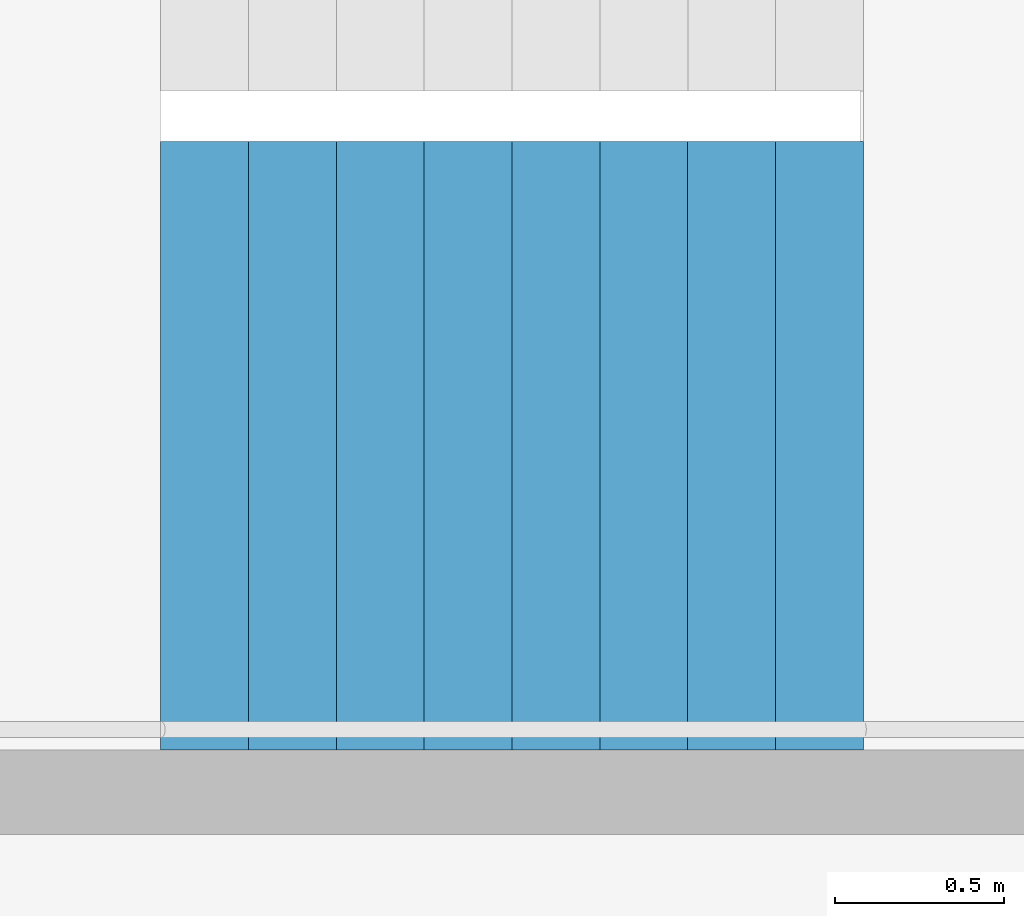
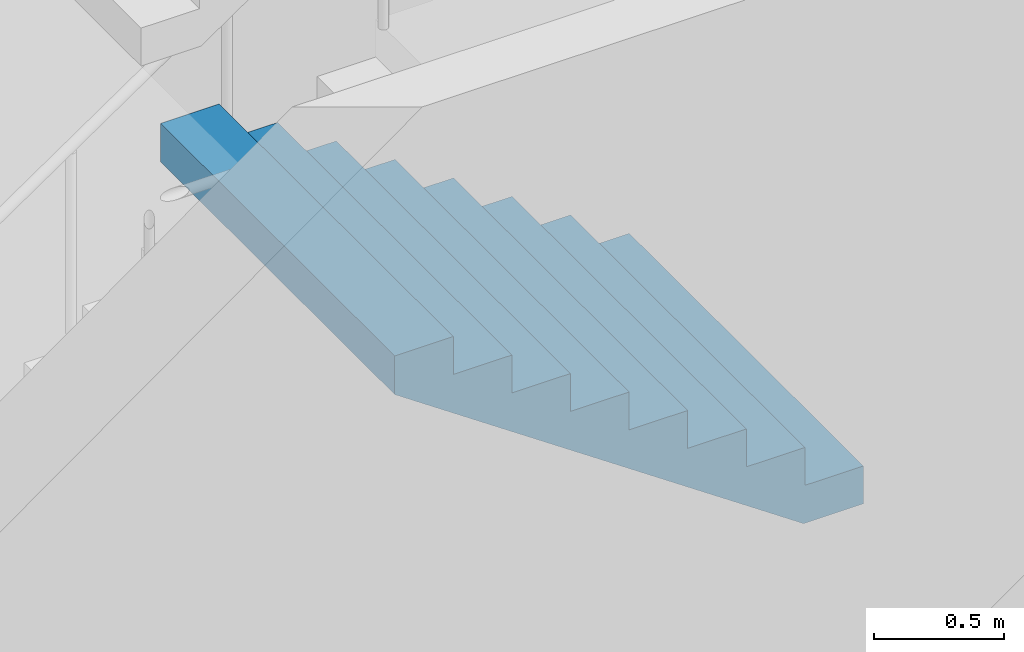
# One storey, part 29 of 42: 1 stair flight, 1 element without a shape of its own.
"""IFC4 building model written with IfcOpenShell, lengths in metres."""

from ifc_helpers import new_model, si_unit, direction, frame, origin, place, context, subcontext, project, spatial, triangles, material, type_object, element, aggregate, save


model = new_model("IFC4")

# Units and contexts
model_context = context("Model", 3, precision=1e-05, world=origin(), true_north=direction((0.0, 1.0)))
body_context = subcontext(model_context, "Body", "Model", "MODEL_VIEW")
ifc_project = project(units=[si_unit("LENGTHUNIT", "METRE"), si_unit("AREAUNIT", "SQUARE_METRE"), si_unit("VOLUMEUNIT", "CUBIC_METRE"), si_unit("PLANEANGLEUNIT", "RADIAN"), si_unit("MASSUNIT", "GRAM", prefix="KILO")], contexts=[model_context])

# Site, building, storey
site_placement = place(None, origin())
site = spatial("IfcSite", under=ifc_project, at=site_placement, CompositionType="ELEMENT")
building_placement = place(site_placement, origin())
building = spatial("IfcBuilding", under=site, at=building_placement, Name="Hakoniwa Tower and Hamabe Station Hall", CompositionType="ELEMENT")
storey_placement = place(building_placement, frame((0.0, 0.0, 232.60009765625)))
storey = spatial("IfcBuildingStorey", under=building, at=storey_placement, Name="L66", CompositionType="ELEMENT", Elevation=232.60009765625)

# Stair, stair flight
ifc_material_1 = material(Name="Concrete C40", Category="concrete")
stair_type = type_object("IfcStairType", Name="ESCAPE STAIR 1800", PredefinedType="HALF_TURN_STAIR", material=ifc_material_1)
stair_placement = place(storey_placement, origin())
stair = element("IfcStair", 1, at=stair_placement, inside=storey, type_object=stair_type, Name="Escape stair ST-3 L66", PredefinedType="HALF_TURN_STAIR")
ifc_material_2 = material(Name="Concrete C40", Category="concrete")
stair_flight_type = type_object("IfcStairFlightType", Name="STAIR FLIGHT 1800", PredefinedType="STRAIGHT", material=ifc_material_2)
stair_flight_placement = place(storey_placement, frame((24.39990234375, 4.64990234375, 3.199951171875), z_axis=(0.0, 0.0, 1.0), x_axis=(-1.0, 0.0, 0.0)))
stair_flight = element("IfcStairFlight", 2, at=stair_flight_placement, type_object=stair_flight_type, Name="ST-3 flight 3", NumberOfRisers=9, NumberOfTreads=8, PredefinedType="STRAIGHT", RiserHeight=0.177777778, TreadLength=0.26, context=body_context, shape_type="Tessellation", body=[
    triangles([(0.0, 0.89990234375, 0.0), (0.260009765625, 0.89990234375, 0.0), (0.265625, 0.89990234375, 0.0), (0.52001953125, 0.89990234375, 0.174072265625), (0.780029296875, 0.89990234375, 0.351806640625), (1.0400390625, 0.89990234375, 0.529541015625), (1.300048828125, 0.89990234375, 0.707275390625), (1.56005859375, 0.89990234375, 0.885009765625), (1.820068359375, 0.89990234375, 1.062744140625), (2.080078125, 0.89990234375, 1.24072265625), (2.080078125, 0.89990234375, 1.422119140625), (1.820068359375, 0.89990234375, 1.422119140625), (1.820068359375, 0.89990234375, 1.244384765625), (1.56005859375, 0.89990234375, 1.244384765625), (1.56005859375, 0.89990234375, 1.066650390625), (1.300048828125, 0.89990234375, 1.066650390625), (1.300048828125, 0.89990234375, 0.888916015625), (1.0400390625, 0.89990234375, 0.888916015625), (1.0400390625, 0.89990234375, 0.711181640625), (0.780029296875, 0.89990234375, 0.711181640625), (0.780029296875, 0.89990234375, 0.533447265625), (0.52001953125, 0.89990234375, 0.533447265625), (0.52001953125, 0.89990234375, 0.35546875), (0.265625, 0.89990234375, 0.35546875), (0.260009765625, 0.89990234375, 0.35546875), (0.260009765625, 0.89990234375, 0.177734375), (0.0, 0.89990234375, 0.177734375), (0.0, 0.06005859375, 0.0), (0.260009765625, 0.06005859375, 0.0), (0.265625, 0.06005859375, 0.0), (0.52001953125, 0.06005859375, 0.174072265625), (0.780029296875, 0.06005859375, 0.351806640625), (1.0400390625, 0.06005859375, 0.529541015625), (1.300048828125, 0.06005859375, 0.707275390625), (1.56005859375, 0.06005859375, 0.885009765625), (1.820068359375, 0.06005859375, 1.062744140625), (2.080078125, 0.06005859375, 1.24072265625), (2.080078125, 0.06005859375, 1.422119140625), (1.820068359375, 0.06005859375, 1.422119140625), (1.820068359375, 0.06005859375, 1.244384765625), (1.56005859375, 0.06005859375, 1.244384765625), (1.56005859375, 0.06005859375, 1.066650390625), (1.300048828125, 0.06005859375, 1.066650390625), (1.300048828125, 0.06005859375, 0.888916015625), (1.0400390625, 0.06005859375, 0.888916015625), (1.0400390625, 0.06005859375, 0.711181640625), (0.780029296875, 0.06005859375, 0.711181640625), (0.780029296875, 0.06005859375, 0.533447265625), (0.52001953125, 0.06005859375, 0.533447265625), (0.52001953125, 0.06005859375, 0.35546875), (0.265625, 0.06005859375, 0.35546875), (0.260009765625, 0.06005859375, 0.35546875), (0.260009765625, 0.06005859375, 0.177734375), (0.0, 0.06005859375, 0.177734375), (0.0, 0.04296875, 0.0), (0.260009765625, 0.04296875, 0.0), (0.265625, 0.04296875, 0.0), (0.52001953125, 0.04296875, 0.174072265625), (0.780029296875, 0.04296875, 0.351806640625), (1.0400390625, 0.04296875, 0.529541015625), (1.300048828125, 0.04296875, 0.707275390625), (1.56005859375, 0.04296875, 0.885009765625), (1.820068359375, 0.04296875, 1.062744140625), (2.080078125, 0.04296875, 1.24072265625), (2.080078125, 0.04296875, 1.422119140625), (1.820068359375, 0.04296875, 1.422119140625), (1.820068359375, 0.04296875, 1.244384765625), (1.56005859375, 0.04296875, 1.244384765625), (1.56005859375, 0.04296875, 1.066650390625), (1.300048828125, 0.04296875, 1.066650390625), (1.300048828125, 0.04296875, 0.888916015625), (1.0400390625, 0.04296875, 0.888916015625), (1.0400390625, 0.04296875, 0.711181640625), (0.780029296875, 0.04296875, 0.711181640625), (0.780029296875, 0.04296875, 0.533447265625), (0.52001953125, 0.04296875, 0.533447265625), (0.52001953125, 0.04296875, 0.35546875), (0.265625, 0.04296875, 0.35546875), (0.260009765625, 0.04296875, 0.35546875), (0.260009765625, 0.04296875, 0.177734375), (0.0, 0.04296875, 0.177734375), (0.0, 0.025634765625, 0.0), (0.260009765625, 0.025634765625, 0.0), (0.265625, 0.025634765625, 0.0), (0.52001953125, 0.025634765625, 0.174072265625), (0.780029296875, 0.025634765625, 0.351806640625), (1.0400390625, 0.025634765625, 0.529541015625), (1.300048828125, 0.025634765625, 0.707275390625), (1.56005859375, 0.025634765625, 0.885009765625), (1.820068359375, 0.025634765625, 1.062744140625), (2.080078125, 0.025634765625, 1.24072265625), (2.080078125, 0.025634765625, 1.422119140625), (1.820068359375, 0.025634765625, 1.422119140625), (1.820068359375, 0.025634765625, 1.244384765625), (1.56005859375, 0.025634765625, 1.244384765625), (1.56005859375, 0.025634765625, 1.066650390625), (1.300048828125, 0.025634765625, 1.066650390625), (1.300048828125, 0.025634765625, 0.888916015625), (1.0400390625, 0.025634765625, 0.888916015625), (1.0400390625, 0.025634765625, 0.711181640625), (0.780029296875, 0.025634765625, 0.711181640625), (0.780029296875, 0.025634765625, 0.533447265625), (0.52001953125, 0.025634765625, 0.533447265625), (0.52001953125, 0.025634765625, 0.35546875), (0.265625, 0.025634765625, 0.35546875), (0.260009765625, 0.025634765625, 0.35546875), (0.260009765625, 0.025634765625, 0.177734375), (0.0, 0.025634765625, 0.177734375), (0.0, 0.008544921875, 0.0), (0.260009765625, 0.008544921875, 0.0), (0.265625, 0.008544921875, 0.0), (0.52001953125, 0.008544921875, 0.174072265625), (0.780029296875, 0.008544921875, 0.351806640625), (1.0400390625, 0.008544921875, 0.529541015625), (1.300048828125, 0.008544921875, 0.707275390625), (1.56005859375, 0.008544921875, 0.885009765625), (1.820068359375, 0.008544921875, 1.062744140625), (2.080078125, 0.008544921875, 1.24072265625), (2.080078125, 0.008544921875, 1.422119140625), (1.820068359375, 0.008544921875, 1.422119140625), (1.820068359375, 0.008544921875, 1.244384765625), (1.56005859375, 0.008544921875, 1.244384765625), (1.56005859375, 0.008544921875, 1.066650390625), (1.300048828125, 0.008544921875, 1.066650390625), (1.300048828125, 0.008544921875, 0.888916015625), (1.0400390625, 0.008544921875, 0.888916015625), (1.0400390625, 0.008544921875, 0.711181640625), (0.780029296875, 0.008544921875, 0.711181640625), (0.780029296875, 0.008544921875, 0.533447265625), (0.52001953125, 0.008544921875, 0.533447265625), (0.52001953125, 0.008544921875, 0.35546875), (0.265625, 0.008544921875, 0.35546875), (0.260009765625, 0.008544921875, 0.35546875), (0.260009765625, 0.008544921875, 0.177734375), (0.0, 0.008544921875, 0.177734375), (0.0, -0.008544921875, 0.0), (0.260009765625, -0.008544921875, 0.0), (0.265625, -0.008544921875, 0.0), (0.52001953125, -0.008544921875, 0.174072265625), (0.780029296875, -0.008544921875, 0.351806640625), (1.0400390625, -0.008544921875, 0.529541015625), (1.300048828125, -0.008544921875, 0.707275390625), (1.56005859375, -0.008544921875, 0.885009765625), (1.820068359375, -0.008544921875, 1.062744140625), (2.080078125, -0.008544921875, 1.24072265625), (2.080078125, -0.008544921875, 1.422119140625), (1.820068359375, -0.008544921875, 1.422119140625), (1.820068359375, -0.008544921875, 1.244384765625), (1.56005859375, -0.008544921875, 1.244384765625), (1.56005859375, -0.008544921875, 1.066650390625), (1.300048828125, -0.008544921875, 1.066650390625), (1.300048828125, -0.008544921875, 0.888916015625), (1.0400390625, -0.008544921875, 0.888916015625), (1.0400390625, -0.008544921875, 0.711181640625), (0.780029296875, -0.008544921875, 0.711181640625), (0.780029296875, -0.008544921875, 0.533447265625), (0.52001953125, -0.008544921875, 0.533447265625), (0.52001953125, -0.008544921875, 0.35546875), (0.265625, -0.008544921875, 0.35546875), (0.260009765625, -0.008544921875, 0.35546875), (0.260009765625, -0.008544921875, 0.177734375), (0.0, -0.008544921875, 0.177734375), (0.0, -0.025634765625, 0.0), (0.260009765625, -0.025634765625, 0.0), (0.265625, -0.025634765625, 0.0), (0.52001953125, -0.025634765625, 0.174072265625), (0.780029296875, -0.025634765625, 0.351806640625), (1.0400390625, -0.025634765625, 0.529541015625), (1.300048828125, -0.025634765625, 0.707275390625), (1.56005859375, -0.025634765625, 0.885009765625), (1.820068359375, -0.025634765625, 1.062744140625), (2.080078125, -0.025634765625, 1.24072265625), (2.080078125, -0.025634765625, 1.422119140625), (1.820068359375, -0.025634765625, 1.422119140625), (1.820068359375, -0.025634765625, 1.244384765625), (1.56005859375, -0.025634765625, 1.244384765625), (1.56005859375, -0.025634765625, 1.066650390625), (1.300048828125, -0.025634765625, 1.066650390625), (1.300048828125, -0.025634765625, 0.888916015625), (1.0400390625, -0.025634765625, 0.888916015625), (1.0400390625, -0.025634765625, 0.711181640625), (0.780029296875, -0.025634765625, 0.711181640625), (0.780029296875, -0.025634765625, 0.533447265625), (0.52001953125, -0.025634765625, 0.533447265625), (0.52001953125, -0.025634765625, 0.35546875), (0.265625, -0.025634765625, 0.35546875), (0.260009765625, -0.025634765625, 0.35546875), (0.260009765625, -0.025634765625, 0.177734375), (0.0, -0.025634765625, 0.177734375), (0.0, -0.04296875, 0.0), (0.260009765625, -0.04296875, 0.0), (0.265625, -0.04296875, 0.0), (0.52001953125, -0.04296875, 0.174072265625), (0.780029296875, -0.04296875, 0.351806640625), (1.0400390625, -0.04296875, 0.529541015625), (1.300048828125, -0.04296875, 0.707275390625), (1.56005859375, -0.04296875, 0.885009765625), (1.820068359375, -0.04296875, 1.062744140625), (2.080078125, -0.04296875, 1.24072265625), (2.080078125, -0.04296875, 1.422119140625), (1.820068359375, -0.04296875, 1.422119140625), (1.820068359375, -0.04296875, 1.244384765625), (1.56005859375, -0.04296875, 1.244384765625), (1.56005859375, -0.04296875, 1.066650390625), (1.300048828125, -0.04296875, 1.066650390625), (1.300048828125, -0.04296875, 0.888916015625), (1.0400390625, -0.04296875, 0.888916015625), (1.0400390625, -0.04296875, 0.711181640625), (0.780029296875, -0.04296875, 0.711181640625), (0.780029296875, -0.04296875, 0.533447265625), (0.52001953125, -0.04296875, 0.533447265625), (0.52001953125, -0.04296875, 0.35546875), (0.265625, -0.04296875, 0.35546875), (0.260009765625, -0.04296875, 0.35546875), (0.260009765625, -0.04296875, 0.177734375), (0.0, -0.04296875, 0.177734375), (0.0, -0.06005859375, 0.0), (0.260009765625, -0.06005859375, 0.0), (0.265625, -0.06005859375, 0.0), (0.52001953125, -0.06005859375, 0.174072265625), (0.780029296875, -0.06005859375, 0.351806640625), (1.0400390625, -0.06005859375, 0.529541015625), (1.300048828125, -0.06005859375, 0.707275390625), (1.56005859375, -0.06005859375, 0.885009765625), (1.820068359375, -0.06005859375, 1.062744140625), (2.080078125, -0.06005859375, 1.24072265625), (2.080078125, -0.06005859375, 1.422119140625), (1.820068359375, -0.06005859375, 1.422119140625), (1.820068359375, -0.06005859375, 1.244384765625), (1.56005859375, -0.06005859375, 1.244384765625), (1.56005859375, -0.06005859375, 1.066650390625), (1.300048828125, -0.06005859375, 1.066650390625), (1.300048828125, -0.06005859375, 0.888916015625), (1.0400390625, -0.06005859375, 0.888916015625), (1.0400390625, -0.06005859375, 0.711181640625), (0.780029296875, -0.06005859375, 0.711181640625), (0.780029296875, -0.06005859375, 0.533447265625), (0.52001953125, -0.06005859375, 0.533447265625), (0.52001953125, -0.06005859375, 0.35546875), (0.265625, -0.06005859375, 0.35546875), (0.260009765625, -0.06005859375, 0.35546875), (0.260009765625, -0.06005859375, 0.177734375), (0.0, -0.06005859375, 0.177734375), (0.0, -0.89990234375, 0.0), (0.260009765625, -0.89990234375, 0.0), (0.265625, -0.89990234375, 0.0), (0.52001953125, -0.89990234375, 0.174072265625), (0.780029296875, -0.89990234375, 0.351806640625), (1.0400390625, -0.89990234375, 0.529541015625), (1.300048828125, -0.89990234375, 0.707275390625), (1.56005859375, -0.89990234375, 0.885009765625), (1.820068359375, -0.89990234375, 1.062744140625), (2.080078125, -0.89990234375, 1.24072265625), (2.080078125, -0.89990234375, 1.422119140625), (1.820068359375, -0.89990234375, 1.422119140625), (1.820068359375, -0.89990234375, 1.244384765625), (1.56005859375, -0.89990234375, 1.244384765625), (1.56005859375, -0.89990234375, 1.066650390625), (1.300048828125, -0.89990234375, 1.066650390625), (1.300048828125, -0.89990234375, 0.888916015625), (1.0400390625, -0.89990234375, 0.888916015625), (1.0400390625, -0.89990234375, 0.711181640625), (0.780029296875, -0.89990234375, 0.711181640625), (0.780029296875, -0.89990234375, 0.533447265625), (0.52001953125, -0.89990234375, 0.533447265625), (0.52001953125, -0.89990234375, 0.35546875), (0.265625, -0.89990234375, 0.35546875), (0.260009765625, -0.89990234375, 0.35546875), (0.260009765625, -0.89990234375, 0.177734375), (0.0, -0.89990234375, 0.177734375)], [[2, 27, 26], [245, 269, 270], [2, 1, 27], [245, 270, 244], [3, 25, 24], [246, 267, 268], [3, 26, 25], [246, 268, 269], [3, 2, 26], [246, 269, 245], [4, 24, 23], [247, 266, 267], [4, 3, 24], [247, 267, 246], [5, 22, 21], [248, 264, 265], [5, 23, 22], [248, 265, 266], [5, 4, 23], [248, 266, 247], [6, 20, 19], [249, 262, 263], [6, 21, 20], [249, 263, 264], [6, 5, 21], [249, 264, 248], [7, 18, 17], [250, 260, 261], [7, 19, 18], [250, 261, 262], [7, 6, 19], [250, 262, 249], [8, 16, 15], [251, 258, 259], [8, 17, 16], [251, 259, 260], [8, 7, 17], [251, 260, 250], [9, 14, 13], [252, 256, 257], [9, 15, 14], [252, 257, 258], [9, 8, 15], [252, 258, 251], [10, 12, 11], [253, 254, 255], [10, 13, 12], [253, 255, 256], [10, 9, 13], [253, 256, 252], [1, 2, 29], [1, 29, 28], [28, 29, 56], [28, 56, 55], [55, 56, 83], [55, 83, 82], [82, 83, 110], [82, 110, 109], [109, 110, 137], [109, 137, 136], [136, 137, 164], [136, 164, 163], [163, 164, 191], [163, 191, 190], [190, 191, 218], [190, 218, 217], [217, 218, 245], [217, 245, 244], [2, 3, 30], [2, 30, 29], [29, 30, 57], [29, 57, 56], [56, 57, 84], [56, 84, 83], [83, 84, 111], [83, 111, 110], [110, 111, 138], [110, 138, 137], [137, 138, 165], [137, 165, 164], [164, 165, 192], [164, 192, 191], [191, 192, 219], [191, 219, 218], [218, 219, 246], [218, 246, 245], [3, 4, 31], [3, 31, 30], [30, 31, 58], [30, 58, 57], [57, 58, 85], [57, 85, 84], [84, 85, 112], [84, 112, 111], [111, 112, 139], [111, 139, 138], [138, 139, 166], [138, 166, 165], [165, 166, 193], [165, 193, 192], [192, 193, 220], [192, 220, 219], [219, 220, 247], [219, 247, 246], [4, 5, 32], [4, 32, 31], [31, 32, 59], [31, 59, 58], [58, 59, 86], [58, 86, 85], [85, 86, 113], [85, 113, 112], [112, 113, 140], [112, 140, 139], [139, 140, 167], [139, 167, 166], [166, 167, 194], [166, 194, 193], [193, 194, 221], [193, 221, 220], [220, 221, 248], [220, 248, 247], [5, 6, 33], [5, 33, 32], [32, 33, 60], [32, 60, 59], [59, 60, 87], [59, 87, 86], [86, 87, 114], [86, 114, 113], [113, 114, 141], [113, 141, 140], [140, 141, 168], [140, 168, 167], [167, 168, 195], [167, 195, 194], [194, 195, 222], [194, 222, 221], [221, 222, 249], [221, 249, 248], [6, 7, 34], [6, 34, 33], [33, 34, 61], [33, 61, 60], [60, 61, 88], [60, 88, 87], [87, 88, 115], [87, 115, 114], [114, 115, 142], [114, 142, 141], [141, 142, 169], [141, 169, 168], [168, 169, 196], [168, 196, 195], [195, 196, 223], [195, 223, 222], [222, 223, 250], [222, 250, 249], [7, 8, 35], [7, 35, 34], [34, 35, 62], [34, 62, 61], [61, 62, 89], [61, 89, 88], [88, 89, 116], [88, 116, 115], [115, 116, 143], [115, 143, 142], [142, 143, 170], [142, 170, 169], [169, 170, 197], [169, 197, 196], [196, 197, 224], [196, 224, 223], [223, 224, 251], [223, 251, 250], [8, 9, 36], [8, 36, 35], [35, 36, 63], [35, 63, 62], [62, 63, 90], [62, 90, 89], [89, 90, 117], [89, 117, 116], [116, 117, 144], [116, 144, 143], [143, 144, 171], [143, 171, 170], [170, 171, 198], [170, 198, 197], [197, 198, 225], [197, 225, 224], [224, 225, 252], [224, 252, 251], [9, 10, 37], [9, 37, 36], [36, 37, 64], [36, 64, 63], [63, 64, 91], [63, 91, 90], [90, 91, 118], [90, 118, 117], [117, 118, 145], [117, 145, 144], [144, 145, 172], [144, 172, 171], [171, 172, 199], [171, 199, 198], [198, 199, 226], [198, 226, 225], [225, 226, 253], [225, 253, 252], [10, 11, 38], [10, 38, 37], [37, 38, 65], [37, 65, 64], [64, 65, 92], [64, 92, 91], [91, 92, 119], [91, 119, 118], [118, 119, 146], [118, 146, 145], [145, 146, 173], [145, 173, 172], [172, 173, 200], [172, 200, 199], [199, 200, 227], [199, 227, 226], [226, 227, 254], [226, 254, 253], [11, 12, 39], [11, 39, 38], [38, 39, 66], [38, 66, 65], [65, 66, 93], [65, 93, 92], [92, 93, 120], [92, 120, 119], [119, 120, 147], [119, 147, 146], [146, 147, 174], [146, 174, 173], [173, 174, 201], [173, 201, 200], [200, 201, 228], [200, 228, 227], [227, 228, 255], [227, 255, 254], [12, 13, 40], [12, 40, 39], [39, 40, 67], [39, 67, 66], [66, 67, 94], [66, 94, 93], [93, 94, 121], [93, 121, 120], [120, 121, 148], [120, 148, 147], [147, 148, 175], [147, 175, 174], [174, 175, 202], [174, 202, 201], [201, 202, 229], [201, 229, 228], [228, 229, 256], [228, 256, 255], [13, 14, 41], [13, 41, 40], [40, 41, 68], [40, 68, 67], [67, 68, 95], [67, 95, 94], [94, 95, 122], [94, 122, 121], [121, 122, 149], [121, 149, 148], [148, 149, 176], [148, 176, 175], [175, 176, 203], [175, 203, 202], [202, 203, 230], [202, 230, 229], [229, 230, 257], [229, 257, 256], [14, 15, 42], [14, 42, 41], [41, 42, 69], [41, 69, 68], [68, 69, 96], [68, 96, 95], [95, 96, 123], [95, 123, 122], [122, 123, 150], [122, 150, 149], [149, 150, 177], [149, 177, 176], [176, 177, 204], [176, 204, 203], [203, 204, 231], [203, 231, 230], [230, 231, 258], [230, 258, 257], [15, 16, 43], [15, 43, 42], [42, 43, 70], [42, 70, 69], [69, 70, 97], [69, 97, 96], [96, 97, 124], [96, 124, 123], [123, 124, 151], [123, 151, 150], [150, 151, 178], [150, 178, 177], [177, 178, 205], [177, 205, 204], [204, 205, 232], [204, 232, 231], [231, 232, 259], [231, 259, 258], [16, 17, 44], [16, 44, 43], [43, 44, 71], [43, 71, 70], [70, 71, 98], [70, 98, 97], [97, 98, 125], [97, 125, 124], [124, 125, 152], [124, 152, 151], [151, 152, 179], [151, 179, 178], [178, 179, 206], [178, 206, 205], [205, 206, 233], [205, 233, 232], [232, 233, 260], [232, 260, 259], [17, 18, 45], [17, 45, 44], [44, 45, 72], [44, 72, 71], [71, 72, 99], [71, 99, 98], [98, 99, 126], [98, 126, 125], [125, 126, 153], [125, 153, 152], [152, 153, 180], [152, 180, 179], [179, 180, 207], [179, 207, 206], [206, 207, 234], [206, 234, 233], [233, 234, 261], [233, 261, 260], [18, 19, 46], [18, 46, 45], [45, 46, 73], [45, 73, 72], [72, 73, 100], [72, 100, 99], [99, 100, 127], [99, 127, 126], [126, 127, 154], [126, 154, 153], [153, 154, 181], [153, 181, 180], [180, 181, 208], [180, 208, 207], [207, 208, 235], [207, 235, 234], [234, 235, 262], [234, 262, 261], [19, 20, 47], [19, 47, 46], [46, 47, 74], [46, 74, 73], [73, 74, 101], [73, 101, 100], [100, 101, 128], [100, 128, 127], [127, 128, 155], [127, 155, 154], [154, 155, 182], [154, 182, 181], [181, 182, 209], [181, 209, 208], [208, 209, 236], [208, 236, 235], [235, 236, 263], [235, 263, 262], [20, 21, 48], [20, 48, 47], [47, 48, 75], [47, 75, 74], [74, 75, 102], [74, 102, 101], [101, 102, 129], [101, 129, 128], [128, 129, 156], [128, 156, 155], [155, 156, 183], [155, 183, 182], [182, 183, 210], [182, 210, 209], [209, 210, 237], [209, 237, 236], [236, 237, 264], [236, 264, 263], [21, 22, 49], [21, 49, 48], [48, 49, 76], [48, 76, 75], [75, 76, 103], [75, 103, 102], [102, 103, 130], [102, 130, 129], [129, 130, 157], [129, 157, 156], [156, 157, 184], [156, 184, 183], [183, 184, 211], [183, 211, 210], [210, 211, 238], [210, 238, 237], [237, 238, 265], [237, 265, 264], [22, 23, 50], [22, 50, 49], [49, 50, 77], [49, 77, 76], [76, 77, 104], [76, 104, 103], [103, 104, 131], [103, 131, 130], [130, 131, 158], [130, 158, 157], [157, 158, 185], [157, 185, 184], [184, 185, 212], [184, 212, 211], [211, 212, 239], [211, 239, 238], [238, 239, 266], [238, 266, 265], [23, 24, 51], [23, 51, 50], [50, 51, 78], [50, 78, 77], [77, 78, 105], [77, 105, 104], [104, 105, 132], [104, 132, 131], [131, 132, 159], [131, 159, 158], [158, 159, 186], [158, 186, 185], [185, 186, 213], [185, 213, 212], [212, 213, 240], [212, 240, 239], [239, 240, 267], [239, 267, 266], [24, 25, 52], [24, 52, 51], [51, 52, 79], [51, 79, 78], [78, 79, 106], [78, 106, 105], [105, 106, 133], [105, 133, 132], [132, 133, 160], [132, 160, 159], [159, 160, 187], [159, 187, 186], [186, 187, 214], [186, 214, 213], [213, 214, 241], [213, 241, 240], [240, 241, 268], [240, 268, 267], [25, 26, 53], [25, 53, 52], [52, 53, 80], [52, 80, 79], [79, 80, 107], [79, 107, 106], [106, 107, 134], [106, 134, 133], [133, 134, 161], [133, 161, 160], [160, 161, 188], [160, 188, 187], [187, 188, 215], [187, 215, 214], [214, 215, 242], [214, 242, 241], [241, 242, 269], [241, 269, 268], [26, 27, 54], [26, 54, 53], [53, 54, 81], [53, 81, 80], [80, 81, 108], [80, 108, 107], [107, 108, 135], [107, 135, 134], [134, 135, 162], [134, 162, 161], [161, 162, 189], [161, 189, 188], [188, 189, 216], [188, 216, 215], [215, 216, 243], [215, 243, 242], [242, 243, 270], [242, 270, 269], [27, 1, 28], [27, 28, 54], [54, 28, 55], [54, 55, 81], [81, 55, 82], [81, 82, 108], [108, 82, 109], [108, 109, 135], [135, 109, 136], [135, 136, 162], [162, 136, 163], [162, 163, 189], [189, 163, 190], [189, 190, 216], [216, 190, 217], [216, 217, 243], [243, 217, 244], [243, 244, 270]], closed=True),
])
aggregate(stair, [stair_flight])

save(model, "model.ifc")
